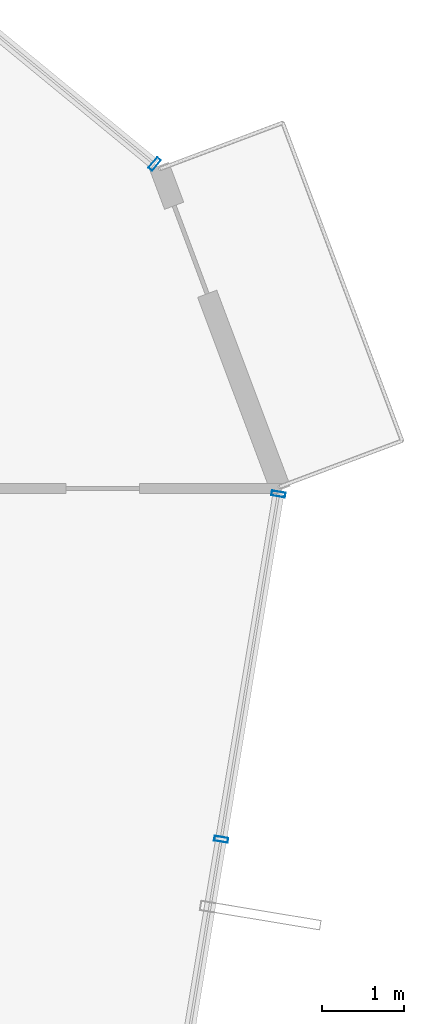
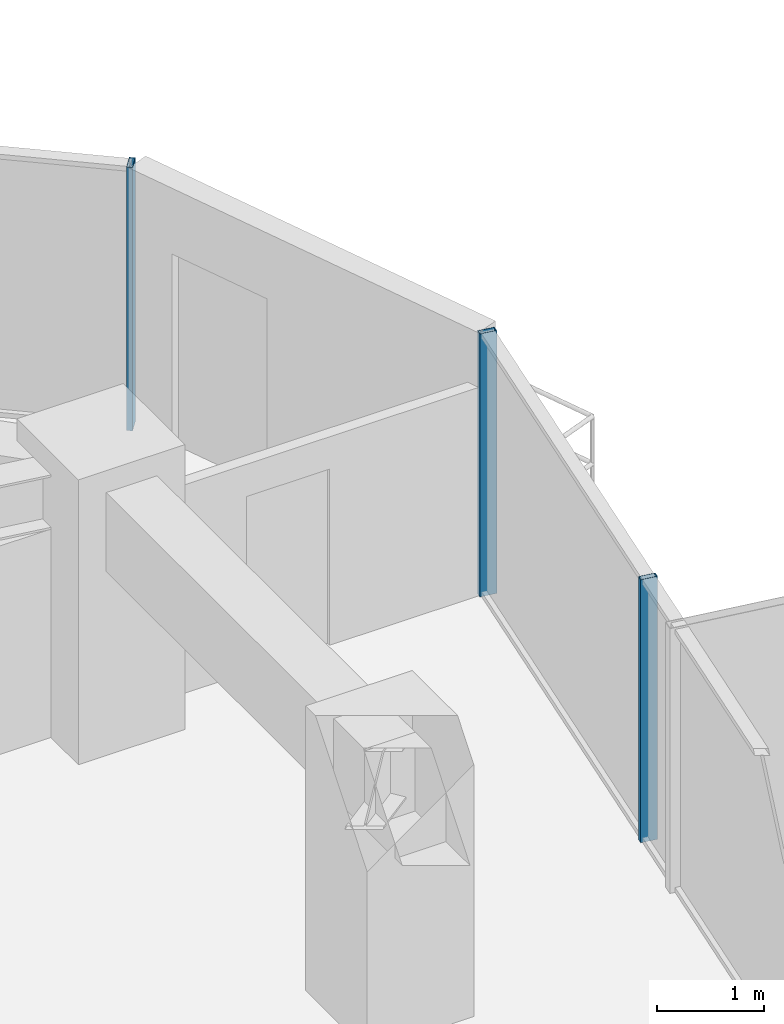
# One storey, part 18 of 30: 3 members, 2 elements without a shape of their own.
"""IFC4 building model written with IfcOpenShell, lengths in metres."""

from ifc_helpers import new_model, si_unit, direction, frame, origin, origin_2d, place, context, subcontext, project, spatial, hollow_rectangle, extrude, source, transform, mapped, material, layer, layer_set, material_profile, profile_set, type_object, element, aggregate, save


model = new_model("IFC4")

# Units and contexts
model_context = context("Model", 3, precision=1e-05, world=origin(), true_north=direction((0.0, 1.0)))
body_context = subcontext(model_context, "Body", "Model", "MODEL_VIEW")
ifc_project = project(units=[si_unit("LENGTHUNIT", "METRE"), si_unit("AREAUNIT", "SQUARE_METRE"), si_unit("VOLUMEUNIT", "CUBIC_METRE"), si_unit("PLANEANGLEUNIT", "RADIAN"), si_unit("MASSUNIT", "GRAM", prefix="KILO")], contexts=[model_context])

# Site, building, storey
site_placement = place(None, origin())
site = spatial("IfcSite", under=ifc_project, at=site_placement, CompositionType="ELEMENT")
building_placement = place(site_placement, origin())
building = spatial("IfcBuilding", under=site, at=building_placement, Name="Veraguas Prism Commons", CompositionType="ELEMENT")
storey_placement = place(building_placement, frame((0.0, 0.0, 95.949951171875)))
storey = spatial("IfcBuildingStorey", under=building, at=storey_placement, Name="L26", CompositionType="ELEMENT", Elevation=95.949951171875)

# Curtain wall, member
ifc_material = material(Name="Anodised aluminium EN AW-6063 T6", Category="aluminium")
ifc_layer = layer(ifc_material, 0.169921875, Name="Unitised Flush Curtain Wall Zone 2", Category="aluminium")
ifc_layer_set = layer_set([ifc_layer], Name="Anodised aluminium EN AW-6063 T6")
curtain_wall_type = type_object("IfcCurtainWallType", Name="Unitised Flush Curtain Wall Zone 2", PredefinedType="NOTDEFINED", material=ifc_layer_set)
curtain_wall_1_placement = place(storey_placement, origin())
curtain_wall_1 = element("IfcCurtainWall", 1, at=curtain_wall_1_placement, inside=storey, type_object=curtain_wall_type, Name="Tower Facade Curtain Wall L26-F1", PredefinedType="NOTDEFINED")
ifc_material_profile = material_profile(ifc_material, hollow_rectangle(XDim=0.06005859375, YDim=0.169921875, WallThickness=0.00390625, at=origin_2d()), Name="AL60X170X4")
ifc_profile_set = profile_set([ifc_material_profile], Name="Anodised aluminium EN AW-6063 T6")
member_type = type_object("IfcMemberType", Name="Curtain Wall Mullion Lower AL 60x170x4", PredefinedType="MULLION", material=ifc_profile_set)
shared_shape = source(origin(), body_context, "Body", "SweptSolid", [
    extrude(hollow_rectangle(XDim=0.06005859375, YDim=0.169921875, WallThickness=0.00390625, at=origin_2d()), origin(), (0.0, 0.0, 1.0), 3.0),
])
member_1_placement = place(storey_placement, frame((42.814453125, 33.365966796875, 0.0), z_axis=(0.0, 0.0, 1.0), x_axis=(-0.772511963678, 0.635000209429, 0.0)))
member_1 = element("IfcMember", 2, at=member_1_placement, type_object=member_type, Name="CW-Z2 Mullion 1", PredefinedType="MULLION", context=body_context, shape_type="MappedRepresentation", body=[
    mapped(shared_shape, transform((0.0, 0.0, 0.0), scale=1.0)),
])
aggregate(curtain_wall_1, [member_1])

# Curtain wall, members
curtain_wall_2_placement = place(storey_placement, origin())
curtain_wall_2 = element("IfcCurtainWall", 3, at=curtain_wall_2_placement, inside=storey, type_object=curtain_wall_type, Name="Tower Facade Curtain Wall L26-F6", PredefinedType="NOTDEFINED")
member_2_placement = place(storey_placement, frame((43.62890625, 25.11083984375, 0.0), z_axis=(0.0, 0.0, 1.0), x_axis=(0.163672052728, 0.986514804327, 0.0)))
member_2 = element("IfcMember", 4, at=member_2_placement, type_object=member_type, Name="CW-Z2 Mullion 4", PredefinedType="MULLION", context=body_context, shape_type="MappedRepresentation", body=[
    mapped(shared_shape, transform((0.0, 0.0, 0.0), scale=1.0)),
])
member_3_placement = place(storey_placement, frame((44.329345703125, 29.331787109375, 0.0), z_axis=(0.0, 0.0, 1.0), x_axis=(0.163672052728, 0.986514804327, 0.0)))
member_3 = element("IfcMember", 5, at=member_3_placement, type_object=member_type, Name="CW-Z2 Mullion 5", PredefinedType="MULLION", context=body_context, shape_type="MappedRepresentation", body=[
    mapped(shared_shape, transform((0.0, 0.0, 0.0), scale=1.0)),
])
aggregate(curtain_wall_2, [member_2, member_3])

save(model, "model.ifc")
